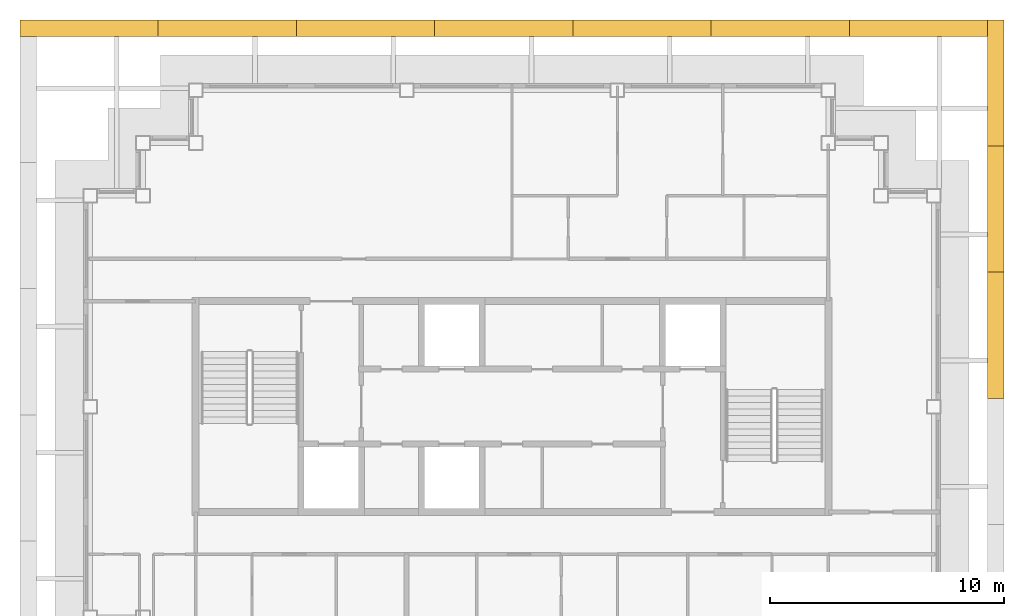
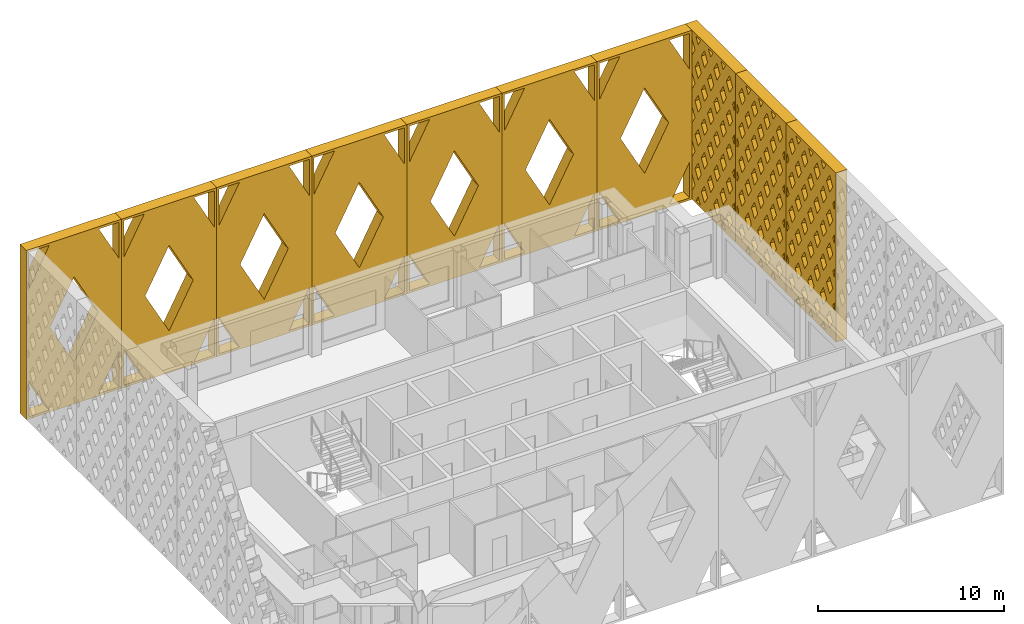
# One storey, part 13 of 13: 10 shading devices.
"""IFC4 building model written with IfcOpenShell, lengths in metres."""

from ifc_helpers import new_model, si_unit, direction, frame, origin, place, context, subcontext, project, spatial, polyline, outline, extrude, material, type_object, element, save


model = new_model("IFC4")

# Units and contexts
model_context = context("Model", 3, precision=1e-05, world=origin(), true_north=direction((0.0, 1.0)))
body_context = subcontext(model_context, "Body", "Model", "MODEL_VIEW")
ifc_project = project(units=[si_unit("LENGTHUNIT", "METRE"), si_unit("AREAUNIT", "SQUARE_METRE"), si_unit("VOLUMEUNIT", "CUBIC_METRE"), si_unit("PLANEANGLEUNIT", "RADIAN"), si_unit("MASSUNIT", "GRAM", prefix="KILO")], contexts=[model_context])

# Site, building, storey
site_placement = place(None, origin())
site = spatial("IfcSite", under=ifc_project, at=site_placement, CompositionType="ELEMENT")
building_placement = place(site_placement, origin())
building = spatial("IfcBuilding", under=site, at=building_placement, Name="Caravel Reach Hotel and Residences", CompositionType="ELEMENT")
storey_placement = place(building_placement, frame((0.0, 0.0, 294.5)))
storey = spatial("IfcBuildingStorey", under=building, at=storey_placement, Name="L75", CompositionType="ELEMENT", Elevation=294.5)

# Shading devices
ifc_material_1 = material(Name="Black powder-coated aluminium", Category="aluminium")
shading_device_type_1 = type_object("IfcShadingDeviceType", Name="Diamond lattice screen panel 5383 x 11100", PredefinedType="USERDEFINED", material=ifc_material_1)
shading_device_1_placement = place(storey_placement, frame((51.800048828125, 27.35009765625, 0.0), z_axis=(1.0, 0.0, 0.0), x_axis=(0.0, 1.0, 0.0)))
element("IfcShadingDevice", 1, at=shading_device_1_placement, inside=storey, type_object=shading_device_type_1, Name="Lattice screen L75-L77 1.4", ObjectType="SCREEN", PredefinedType="USERDEFINED", context=body_context, shape_type="SweptSolid", body=[
    extrude(outline(polyline([(0.0, 0.0), (5.38330078125, 0.0), (5.38330078125, 11.10009765625), (0.0, 11.10009765625), (0.0, 0.0)]), holes=[polyline([(0.338134765625, 2.219970703125), (0.14990234375, 2.530517578125), (0.14990234375, 1.90966796875), (0.338134765625, 2.219970703125)]), polyline([(0.338134765625, 4.43994140625), (0.14990234375, 4.75048828125), (0.14990234375, 4.129638671875), (0.338134765625, 4.43994140625)]), polyline([(0.338134765625, 6.659912109375), (0.14990234375, 6.970458984375), (0.14990234375, 6.349609375), (0.338134765625, 6.659912109375)]), polyline([(0.338134765625, 8.8798828125), (0.14990234375, 9.1904296875), (0.14990234375, 8.569580078125), (0.338134765625, 8.8798828125)]), polyline([(0.6728515625, 1.667724609375), (0.334716796875, 1.110107421875), (0.6728515625, 0.55224609375), (1.010986328125, 1.110107421875), (0.6728515625, 1.667724609375)]), polyline([(0.6728515625, 3.887939453125), (0.334716796875, 3.330078125), (0.6728515625, 2.772216796875), (1.010986328125, 3.330078125), (0.6728515625, 3.887939453125)]), polyline([(0.6728515625, 6.10791015625), (0.334716796875, 5.550048828125), (0.6728515625, 4.9921875), (1.010986328125, 5.550048828125), (0.6728515625, 6.10791015625)]), polyline([(0.6728515625, 8.327880859375), (0.334716796875, 7.77001953125), (0.6728515625, 7.212158203125), (1.010986328125, 7.77001953125), (0.6728515625, 8.327880859375)]), polyline([(0.6728515625, 10.5478515625), (0.334716796875, 9.989990234375), (0.6728515625, 9.43212890625), (1.010986328125, 9.989990234375), (0.6728515625, 10.5478515625)]), polyline([(1.345947265625, 0.557861328125), (1.0986328125, 0.14990234375), (1.593017578125, 0.14990234375), (1.345947265625, 0.557861328125)]), polyline([(1.345947265625, 2.77783203125), (1.007568359375, 2.219970703125), (1.345947265625, 1.662109375), (1.68408203125, 2.219970703125), (1.345947265625, 2.77783203125)]), polyline([(1.345947265625, 4.997802734375), (1.007568359375, 4.43994140625), (1.345947265625, 3.882080078125), (1.68408203125, 4.43994140625), (1.345947265625, 4.997802734375)]), polyline([(1.345947265625, 7.2177734375), (1.007568359375, 6.659912109375), (1.345947265625, 6.10205078125), (1.68408203125, 6.659912109375), (1.345947265625, 7.2177734375)]), polyline([(1.345947265625, 9.437744140625), (1.007568359375, 8.8798828125), (1.345947265625, 8.322265625), (1.68408203125, 8.8798828125), (1.345947265625, 9.437744140625)]), polyline([(1.345947265625, 10.542236328125), (1.593017578125, 10.949951171875), (1.0986328125, 10.949951171875), (1.345947265625, 10.542236328125)]), polyline([(2.018798828125, 1.667724609375), (1.6806640625, 1.110107421875), (2.018798828125, 0.55224609375), (2.35693359375, 1.110107421875), (2.018798828125, 1.667724609375)]), polyline([(2.018798828125, 3.887939453125), (1.6806640625, 3.330078125), (2.018798828125, 2.772216796875), (2.35693359375, 3.330078125), (2.018798828125, 3.887939453125)]), polyline([(2.018798828125, 6.10791015625), (1.6806640625, 5.550048828125), (2.018798828125, 4.9921875), (2.35693359375, 5.550048828125), (2.018798828125, 6.10791015625)]), polyline([(2.018798828125, 8.327880859375), (1.6806640625, 7.77001953125), (2.018798828125, 7.212158203125), (2.35693359375, 7.77001953125), (2.018798828125, 8.327880859375)]), polyline([(2.018798828125, 10.5478515625), (1.6806640625, 9.989990234375), (2.018798828125, 9.43212890625), (2.35693359375, 9.989990234375), (2.018798828125, 10.5478515625)]), polyline([(2.691650390625, 0.557861328125), (2.4443359375, 0.14990234375), (2.93896484375, 0.14990234375), (2.691650390625, 0.557861328125)]), polyline([(2.691650390625, 2.77783203125), (2.353515625, 2.219970703125), (2.691650390625, 1.662109375), (3.02978515625, 2.219970703125), (2.691650390625, 2.77783203125)]), polyline([(2.691650390625, 4.997802734375), (2.353515625, 4.43994140625), (2.691650390625, 3.882080078125), (3.02978515625, 4.43994140625), (2.691650390625, 4.997802734375)]), polyline([(2.691650390625, 7.2177734375), (2.353515625, 6.659912109375), (2.691650390625, 6.10205078125), (3.02978515625, 6.659912109375), (2.691650390625, 7.2177734375)]), polyline([(2.691650390625, 9.437744140625), (2.353515625, 8.8798828125), (2.691650390625, 8.322265625), (3.02978515625, 8.8798828125), (2.691650390625, 9.437744140625)]), polyline([(2.691650390625, 10.542236328125), (2.93896484375, 10.949951171875), (2.4443359375, 10.949951171875), (2.691650390625, 10.542236328125)]), polyline([(3.364501953125, 1.667724609375), (3.0263671875, 1.110107421875), (3.364501953125, 0.55224609375), (3.702880859375, 1.110107421875), (3.364501953125, 1.667724609375)]), polyline([(3.364501953125, 3.887939453125), (3.0263671875, 3.330078125), (3.364501953125, 2.772216796875), (3.702880859375, 3.330078125), (3.364501953125, 3.887939453125)]), polyline([(3.364501953125, 6.10791015625), (3.0263671875, 5.550048828125), (3.364501953125, 4.9921875), (3.702880859375, 5.550048828125), (3.364501953125, 6.10791015625)]), polyline([(3.364501953125, 8.327880859375), (3.0263671875, 7.77001953125), (3.364501953125, 7.212158203125), (3.702880859375, 7.77001953125), (3.364501953125, 8.327880859375)]), polyline([(3.364501953125, 10.5478515625), (3.0263671875, 9.989990234375), (3.364501953125, 9.43212890625), (3.702880859375, 9.989990234375), (3.364501953125, 10.5478515625)]), polyline([(4.03759765625, 0.557861328125), (3.790283203125, 0.14990234375), (4.28466796875, 0.14990234375), (4.03759765625, 0.557861328125)]), polyline([(4.03759765625, 2.77783203125), (3.69921875, 2.219970703125), (4.03759765625, 1.662109375), (4.375732421875, 2.219970703125), (4.03759765625, 2.77783203125)]), polyline([(4.03759765625, 4.997802734375), (3.69921875, 4.43994140625), (4.03759765625, 3.882080078125), (4.375732421875, 4.43994140625), (4.03759765625, 4.997802734375)]), polyline([(4.03759765625, 7.2177734375), (3.69921875, 6.659912109375), (4.03759765625, 6.10205078125), (4.375732421875, 6.659912109375), (4.03759765625, 7.2177734375)]), polyline([(4.03759765625, 9.437744140625), (3.69921875, 8.8798828125), (4.03759765625, 8.322265625), (4.375732421875, 8.8798828125), (4.03759765625, 9.437744140625)]), polyline([(4.03759765625, 10.542236328125), (4.28466796875, 10.949951171875), (3.790283203125, 10.949951171875), (4.03759765625, 10.542236328125)]), polyline([(4.71044921875, 1.667724609375), (4.372314453125, 1.110107421875), (4.71044921875, 0.55224609375), (5.048583984375, 1.110107421875), (4.71044921875, 1.667724609375)]), polyline([(4.71044921875, 3.887939453125), (4.372314453125, 3.330078125), (4.71044921875, 2.772216796875), (5.048583984375, 3.330078125), (4.71044921875, 3.887939453125)]), polyline([(4.71044921875, 6.10791015625), (4.372314453125, 5.550048828125), (4.71044921875, 4.9921875), (5.048583984375, 5.550048828125), (4.71044921875, 6.10791015625)]), polyline([(4.71044921875, 8.327880859375), (4.372314453125, 7.77001953125), (4.71044921875, 7.212158203125), (5.048583984375, 7.77001953125), (4.71044921875, 8.327880859375)]), polyline([(4.71044921875, 10.5478515625), (4.372314453125, 9.989990234375), (4.71044921875, 9.43212890625), (5.048583984375, 9.989990234375), (4.71044921875, 10.5478515625)]), polyline([(5.045166015625, 2.219970703125), (5.2333984375, 1.90966796875), (5.2333984375, 2.530517578125), (5.045166015625, 2.219970703125)]), polyline([(5.045166015625, 4.43994140625), (5.2333984375, 4.129638671875), (5.2333984375, 4.75048828125), (5.045166015625, 4.43994140625)]), polyline([(5.045166015625, 6.659912109375), (5.2333984375, 6.349609375), (5.2333984375, 6.970458984375), (5.045166015625, 6.659912109375)]), polyline([(5.045166015625, 8.8798828125), (5.2333984375, 8.569580078125), (5.2333984375, 9.1904296875), (5.045166015625, 8.8798828125)])]), origin(), (0.0, 0.0, 1.0), 0.699951171875),
])
shading_device_2_placement = place(storey_placement, frame((51.800048828125, 32.7333984375, 0.0), z_axis=(1.0, 0.0, 0.0), x_axis=(0.0, 1.0, 0.0)))
element("IfcShadingDevice", 2, at=shading_device_2_placement, inside=storey, type_object=shading_device_type_1, Name="Lattice screen L75-L77 1.5", ObjectType="SCREEN", PredefinedType="USERDEFINED", context=body_context, shape_type="SweptSolid", body=[
    extrude(outline(polyline([(0.0, 0.0), (5.38330078125, 0.0), (5.38330078125, 11.10009765625), (0.0, 11.10009765625), (0.0, 0.0)]), holes=[polyline([(0.338134765625, 2.219970703125), (0.14990234375, 2.530517578125), (0.14990234375, 1.90966796875), (0.338134765625, 2.219970703125)]), polyline([(0.338134765625, 4.43994140625), (0.14990234375, 4.75048828125), (0.14990234375, 4.129638671875), (0.338134765625, 4.43994140625)]), polyline([(0.338134765625, 6.659912109375), (0.14990234375, 6.970458984375), (0.14990234375, 6.349609375), (0.338134765625, 6.659912109375)]), polyline([(0.338134765625, 8.8798828125), (0.14990234375, 9.1904296875), (0.14990234375, 8.569580078125), (0.338134765625, 8.8798828125)]), polyline([(0.6728515625, 1.667724609375), (0.334716796875, 1.110107421875), (0.6728515625, 0.55224609375), (1.010986328125, 1.110107421875), (0.6728515625, 1.667724609375)]), polyline([(0.6728515625, 3.887939453125), (0.334716796875, 3.330078125), (0.6728515625, 2.772216796875), (1.010986328125, 3.330078125), (0.6728515625, 3.887939453125)]), polyline([(0.6728515625, 6.10791015625), (0.334716796875, 5.550048828125), (0.6728515625, 4.9921875), (1.010986328125, 5.550048828125), (0.6728515625, 6.10791015625)]), polyline([(0.6728515625, 8.327880859375), (0.334716796875, 7.77001953125), (0.6728515625, 7.212158203125), (1.010986328125, 7.77001953125), (0.6728515625, 8.327880859375)]), polyline([(0.6728515625, 10.5478515625), (0.334716796875, 9.989990234375), (0.6728515625, 9.43212890625), (1.010986328125, 9.989990234375), (0.6728515625, 10.5478515625)]), polyline([(1.345947265625, 0.557861328125), (1.0986328125, 0.14990234375), (1.593017578125, 0.14990234375), (1.345947265625, 0.557861328125)]), polyline([(1.345947265625, 2.77783203125), (1.007568359375, 2.219970703125), (1.345947265625, 1.662109375), (1.68408203125, 2.219970703125), (1.345947265625, 2.77783203125)]), polyline([(1.345947265625, 4.997802734375), (1.007568359375, 4.43994140625), (1.345947265625, 3.882080078125), (1.68408203125, 4.43994140625), (1.345947265625, 4.997802734375)]), polyline([(1.345947265625, 7.2177734375), (1.007568359375, 6.659912109375), (1.345947265625, 6.10205078125), (1.68408203125, 6.659912109375), (1.345947265625, 7.2177734375)]), polyline([(1.345947265625, 9.437744140625), (1.007568359375, 8.8798828125), (1.345947265625, 8.322265625), (1.68408203125, 8.8798828125), (1.345947265625, 9.437744140625)]), polyline([(1.345947265625, 10.542236328125), (1.593017578125, 10.949951171875), (1.0986328125, 10.949951171875), (1.345947265625, 10.542236328125)]), polyline([(2.018798828125, 1.667724609375), (1.6806640625, 1.110107421875), (2.018798828125, 0.55224609375), (2.35693359375, 1.110107421875), (2.018798828125, 1.667724609375)]), polyline([(2.018798828125, 3.887939453125), (1.6806640625, 3.330078125), (2.018798828125, 2.772216796875), (2.35693359375, 3.330078125), (2.018798828125, 3.887939453125)]), polyline([(2.018798828125, 6.10791015625), (1.6806640625, 5.550048828125), (2.018798828125, 4.9921875), (2.35693359375, 5.550048828125), (2.018798828125, 6.10791015625)]), polyline([(2.018798828125, 8.327880859375), (1.6806640625, 7.77001953125), (2.018798828125, 7.212158203125), (2.35693359375, 7.77001953125), (2.018798828125, 8.327880859375)]), polyline([(2.018798828125, 10.5478515625), (1.6806640625, 9.989990234375), (2.018798828125, 9.43212890625), (2.35693359375, 9.989990234375), (2.018798828125, 10.5478515625)]), polyline([(2.691650390625, 0.557861328125), (2.4443359375, 0.14990234375), (2.93896484375, 0.14990234375), (2.691650390625, 0.557861328125)]), polyline([(2.691650390625, 2.77783203125), (2.353515625, 2.219970703125), (2.691650390625, 1.662109375), (3.02978515625, 2.219970703125), (2.691650390625, 2.77783203125)]), polyline([(2.691650390625, 4.997802734375), (2.353515625, 4.43994140625), (2.691650390625, 3.882080078125), (3.02978515625, 4.43994140625), (2.691650390625, 4.997802734375)]), polyline([(2.691650390625, 7.2177734375), (2.353515625, 6.659912109375), (2.691650390625, 6.10205078125), (3.02978515625, 6.659912109375), (2.691650390625, 7.2177734375)]), polyline([(2.691650390625, 9.437744140625), (2.353515625, 8.8798828125), (2.691650390625, 8.322265625), (3.02978515625, 8.8798828125), (2.691650390625, 9.437744140625)]), polyline([(2.691650390625, 10.542236328125), (2.93896484375, 10.949951171875), (2.4443359375, 10.949951171875), (2.691650390625, 10.542236328125)]), polyline([(3.364501953125, 1.667724609375), (3.0263671875, 1.110107421875), (3.364501953125, 0.55224609375), (3.702880859375, 1.110107421875), (3.364501953125, 1.667724609375)]), polyline([(3.364501953125, 3.887939453125), (3.0263671875, 3.330078125), (3.364501953125, 2.772216796875), (3.702880859375, 3.330078125), (3.364501953125, 3.887939453125)]), polyline([(3.364501953125, 6.10791015625), (3.0263671875, 5.550048828125), (3.364501953125, 4.9921875), (3.702880859375, 5.550048828125), (3.364501953125, 6.10791015625)]), polyline([(3.364501953125, 8.327880859375), (3.0263671875, 7.77001953125), (3.364501953125, 7.212158203125), (3.702880859375, 7.77001953125), (3.364501953125, 8.327880859375)]), polyline([(3.364501953125, 10.5478515625), (3.0263671875, 9.989990234375), (3.364501953125, 9.43212890625), (3.702880859375, 9.989990234375), (3.364501953125, 10.5478515625)]), polyline([(4.03759765625, 0.557861328125), (3.790283203125, 0.14990234375), (4.28466796875, 0.14990234375), (4.03759765625, 0.557861328125)]), polyline([(4.03759765625, 2.77783203125), (3.69921875, 2.219970703125), (4.03759765625, 1.662109375), (4.375732421875, 2.219970703125), (4.03759765625, 2.77783203125)]), polyline([(4.03759765625, 4.997802734375), (3.69921875, 4.43994140625), (4.03759765625, 3.882080078125), (4.375732421875, 4.43994140625), (4.03759765625, 4.997802734375)]), polyline([(4.03759765625, 7.2177734375), (3.69921875, 6.659912109375), (4.03759765625, 6.10205078125), (4.375732421875, 6.659912109375), (4.03759765625, 7.2177734375)]), polyline([(4.03759765625, 9.437744140625), (3.69921875, 8.8798828125), (4.03759765625, 8.322265625), (4.375732421875, 8.8798828125), (4.03759765625, 9.437744140625)]), polyline([(4.03759765625, 10.542236328125), (4.28466796875, 10.949951171875), (3.790283203125, 10.949951171875), (4.03759765625, 10.542236328125)]), polyline([(4.71044921875, 1.667724609375), (4.372314453125, 1.110107421875), (4.71044921875, 0.55224609375), (5.048583984375, 1.110107421875), (4.71044921875, 1.667724609375)]), polyline([(4.71044921875, 3.887939453125), (4.372314453125, 3.330078125), (4.71044921875, 2.772216796875), (5.048583984375, 3.330078125), (4.71044921875, 3.887939453125)]), polyline([(4.71044921875, 6.10791015625), (4.372314453125, 5.550048828125), (4.71044921875, 4.9921875), (5.048583984375, 5.550048828125), (4.71044921875, 6.10791015625)]), polyline([(4.71044921875, 8.327880859375), (4.372314453125, 7.77001953125), (4.71044921875, 7.212158203125), (5.048583984375, 7.77001953125), (4.71044921875, 8.327880859375)]), polyline([(4.71044921875, 10.5478515625), (4.372314453125, 9.989990234375), (4.71044921875, 9.43212890625), (5.048583984375, 9.989990234375), (4.71044921875, 10.5478515625)]), polyline([(5.045166015625, 2.219970703125), (5.2333984375, 1.90966796875), (5.2333984375, 2.530517578125), (5.045166015625, 2.219970703125)]), polyline([(5.045166015625, 4.43994140625), (5.2333984375, 4.129638671875), (5.2333984375, 4.75048828125), (5.045166015625, 4.43994140625)]), polyline([(5.045166015625, 6.659912109375), (5.2333984375, 6.349609375), (5.2333984375, 6.970458984375), (5.045166015625, 6.659912109375)]), polyline([(5.045166015625, 8.8798828125), (5.2333984375, 8.569580078125), (5.2333984375, 9.1904296875), (5.045166015625, 8.8798828125)])]), origin(), (0.0, 0.0, 1.0), 0.699951171875),
])
shading_device_3_placement = place(storey_placement, frame((51.800048828125, 38.11669921875, 0.0), z_axis=(1.0, 0.0, 0.0), x_axis=(0.0, 1.0, 0.0)))
element("IfcShadingDevice", 3, at=shading_device_3_placement, inside=storey, type_object=shading_device_type_1, Name="Lattice screen L75-L77 1.6", ObjectType="SCREEN", PredefinedType="USERDEFINED", context=body_context, shape_type="SweptSolid", body=[
    extrude(outline(polyline([(0.0, 0.0), (5.38330078125, 0.0), (5.38330078125, 11.10009765625), (0.0, 11.10009765625), (0.0, 0.0)]), holes=[polyline([(0.338134765625, 2.219970703125), (0.14990234375, 2.530517578125), (0.14990234375, 1.90966796875), (0.338134765625, 2.219970703125)]), polyline([(0.338134765625, 4.43994140625), (0.14990234375, 4.75048828125), (0.14990234375, 4.129638671875), (0.338134765625, 4.43994140625)]), polyline([(0.338134765625, 6.659912109375), (0.14990234375, 6.970458984375), (0.14990234375, 6.349609375), (0.338134765625, 6.659912109375)]), polyline([(0.338134765625, 8.8798828125), (0.14990234375, 9.1904296875), (0.14990234375, 8.569580078125), (0.338134765625, 8.8798828125)]), polyline([(0.6728515625, 1.667724609375), (0.334716796875, 1.110107421875), (0.6728515625, 0.55224609375), (1.010986328125, 1.110107421875), (0.6728515625, 1.667724609375)]), polyline([(0.6728515625, 3.887939453125), (0.334716796875, 3.330078125), (0.6728515625, 2.772216796875), (1.010986328125, 3.330078125), (0.6728515625, 3.887939453125)]), polyline([(0.6728515625, 6.10791015625), (0.334716796875, 5.550048828125), (0.6728515625, 4.9921875), (1.010986328125, 5.550048828125), (0.6728515625, 6.10791015625)]), polyline([(0.6728515625, 8.327880859375), (0.334716796875, 7.77001953125), (0.6728515625, 7.212158203125), (1.010986328125, 7.77001953125), (0.6728515625, 8.327880859375)]), polyline([(0.6728515625, 10.5478515625), (0.334716796875, 9.989990234375), (0.6728515625, 9.43212890625), (1.010986328125, 9.989990234375), (0.6728515625, 10.5478515625)]), polyline([(1.345947265625, 0.557861328125), (1.0986328125, 0.14990234375), (1.593017578125, 0.14990234375), (1.345947265625, 0.557861328125)]), polyline([(1.345947265625, 2.77783203125), (1.007568359375, 2.219970703125), (1.345947265625, 1.662109375), (1.68408203125, 2.219970703125), (1.345947265625, 2.77783203125)]), polyline([(1.345947265625, 4.997802734375), (1.007568359375, 4.43994140625), (1.345947265625, 3.882080078125), (1.68408203125, 4.43994140625), (1.345947265625, 4.997802734375)]), polyline([(1.345947265625, 7.2177734375), (1.007568359375, 6.659912109375), (1.345947265625, 6.10205078125), (1.68408203125, 6.659912109375), (1.345947265625, 7.2177734375)]), polyline([(1.345947265625, 9.437744140625), (1.007568359375, 8.8798828125), (1.345947265625, 8.322265625), (1.68408203125, 8.8798828125), (1.345947265625, 9.437744140625)]), polyline([(1.345947265625, 10.542236328125), (1.593017578125, 10.949951171875), (1.0986328125, 10.949951171875), (1.345947265625, 10.542236328125)]), polyline([(2.018798828125, 1.667724609375), (1.6806640625, 1.110107421875), (2.018798828125, 0.55224609375), (2.35693359375, 1.110107421875), (2.018798828125, 1.667724609375)]), polyline([(2.018798828125, 3.887939453125), (1.6806640625, 3.330078125), (2.018798828125, 2.772216796875), (2.35693359375, 3.330078125), (2.018798828125, 3.887939453125)]), polyline([(2.018798828125, 6.10791015625), (1.6806640625, 5.550048828125), (2.018798828125, 4.9921875), (2.35693359375, 5.550048828125), (2.018798828125, 6.10791015625)]), polyline([(2.018798828125, 8.327880859375), (1.6806640625, 7.77001953125), (2.018798828125, 7.212158203125), (2.35693359375, 7.77001953125), (2.018798828125, 8.327880859375)]), polyline([(2.018798828125, 10.5478515625), (1.6806640625, 9.989990234375), (2.018798828125, 9.43212890625), (2.35693359375, 9.989990234375), (2.018798828125, 10.5478515625)]), polyline([(2.691650390625, 0.557861328125), (2.4443359375, 0.14990234375), (2.93896484375, 0.14990234375), (2.691650390625, 0.557861328125)]), polyline([(2.691650390625, 2.77783203125), (2.353515625, 2.219970703125), (2.691650390625, 1.662109375), (3.02978515625, 2.219970703125), (2.691650390625, 2.77783203125)]), polyline([(2.691650390625, 4.997802734375), (2.353515625, 4.43994140625), (2.691650390625, 3.882080078125), (3.02978515625, 4.43994140625), (2.691650390625, 4.997802734375)]), polyline([(2.691650390625, 7.2177734375), (2.353515625, 6.659912109375), (2.691650390625, 6.10205078125), (3.02978515625, 6.659912109375), (2.691650390625, 7.2177734375)]), polyline([(2.691650390625, 9.437744140625), (2.353515625, 8.8798828125), (2.691650390625, 8.322265625), (3.02978515625, 8.8798828125), (2.691650390625, 9.437744140625)]), polyline([(2.691650390625, 10.542236328125), (2.93896484375, 10.949951171875), (2.4443359375, 10.949951171875), (2.691650390625, 10.542236328125)]), polyline([(3.364501953125, 1.667724609375), (3.0263671875, 1.110107421875), (3.364501953125, 0.55224609375), (3.702880859375, 1.110107421875), (3.364501953125, 1.667724609375)]), polyline([(3.364501953125, 3.887939453125), (3.0263671875, 3.330078125), (3.364501953125, 2.772216796875), (3.702880859375, 3.330078125), (3.364501953125, 3.887939453125)]), polyline([(3.364501953125, 6.10791015625), (3.0263671875, 5.550048828125), (3.364501953125, 4.9921875), (3.702880859375, 5.550048828125), (3.364501953125, 6.10791015625)]), polyline([(3.364501953125, 8.327880859375), (3.0263671875, 7.77001953125), (3.364501953125, 7.212158203125), (3.702880859375, 7.77001953125), (3.364501953125, 8.327880859375)]), polyline([(3.364501953125, 10.5478515625), (3.0263671875, 9.989990234375), (3.364501953125, 9.43212890625), (3.702880859375, 9.989990234375), (3.364501953125, 10.5478515625)]), polyline([(4.03759765625, 0.557861328125), (3.790283203125, 0.14990234375), (4.28466796875, 0.14990234375), (4.03759765625, 0.557861328125)]), polyline([(4.03759765625, 2.77783203125), (3.69921875, 2.219970703125), (4.03759765625, 1.662109375), (4.375732421875, 2.219970703125), (4.03759765625, 2.77783203125)]), polyline([(4.03759765625, 4.997802734375), (3.69921875, 4.43994140625), (4.03759765625, 3.882080078125), (4.375732421875, 4.43994140625), (4.03759765625, 4.997802734375)]), polyline([(4.03759765625, 7.2177734375), (3.69921875, 6.659912109375), (4.03759765625, 6.10205078125), (4.375732421875, 6.659912109375), (4.03759765625, 7.2177734375)]), polyline([(4.03759765625, 9.437744140625), (3.69921875, 8.8798828125), (4.03759765625, 8.322265625), (4.375732421875, 8.8798828125), (4.03759765625, 9.437744140625)]), polyline([(4.03759765625, 10.542236328125), (4.28466796875, 10.949951171875), (3.790283203125, 10.949951171875), (4.03759765625, 10.542236328125)]), polyline([(4.71044921875, 1.667724609375), (4.372314453125, 1.110107421875), (4.71044921875, 0.55224609375), (5.048583984375, 1.110107421875), (4.71044921875, 1.667724609375)]), polyline([(4.71044921875, 3.887939453125), (4.372314453125, 3.330078125), (4.71044921875, 2.772216796875), (5.048583984375, 3.330078125), (4.71044921875, 3.887939453125)]), polyline([(4.71044921875, 6.10791015625), (4.372314453125, 5.550048828125), (4.71044921875, 4.9921875), (5.048583984375, 5.550048828125), (4.71044921875, 6.10791015625)]), polyline([(4.71044921875, 8.327880859375), (4.372314453125, 7.77001953125), (4.71044921875, 7.212158203125), (5.048583984375, 7.77001953125), (4.71044921875, 8.327880859375)]), polyline([(4.71044921875, 10.5478515625), (4.372314453125, 9.989990234375), (4.71044921875, 9.43212890625), (5.048583984375, 9.989990234375), (4.71044921875, 10.5478515625)]), polyline([(5.045166015625, 2.219970703125), (5.2333984375, 1.90966796875), (5.2333984375, 2.530517578125), (5.045166015625, 2.219970703125)]), polyline([(5.045166015625, 4.43994140625), (5.2333984375, 4.129638671875), (5.2333984375, 4.75048828125), (5.045166015625, 4.43994140625)]), polyline([(5.045166015625, 6.659912109375), (5.2333984375, 6.349609375), (5.2333984375, 6.970458984375), (5.045166015625, 6.659912109375)]), polyline([(5.045166015625, 8.8798828125), (5.2333984375, 8.569580078125), (5.2333984375, 9.1904296875), (5.045166015625, 8.8798828125)])]), origin(), (0.0, 0.0, 1.0), 0.699951171875),
])
ifc_material_2 = material(Name="Black powder-coated aluminium", Category="aluminium")
shading_device_type_2 = type_object("IfcShadingDeviceType", Name="Diamond lattice screen panel 5900 x 11100", PredefinedType="USERDEFINED", material=ifc_material_2)
for number, where, z_axis, x_axis, name in (
    (4, (51.800048828125, 42.800048828125, 0.0), (0.0, 1.0, 0.0), (-1.0, 0.0, 0.0), "Lattice screen L75-L77 2.1"),
    (5, (45.89990234375, 42.800048828125, 0.0), (0.0, 1.0, 0.0), (-1.0, 0.0, 0.0), "Lattice screen L75-L77 2.2"),
    (6, (40.0, 42.800048828125, 0.0), (0.0, 1.0, 0.0), (-1.0, 0.0, 0.0), "Lattice screen L75-L77 2.3"),
    (7, (34.10009765625, 42.800048828125, 0.0), (0.0, 1.0, 0.0), (-1.0, 0.0, 0.0), "Lattice screen L75-L77 2.4"),
    (8, (28.199951171875, 42.800048828125, 0.0), (0.0, 1.0, 0.0), (-1.0, 0.0, 0.0), "Lattice screen L75-L77 2.5"),
    (9, (22.300048828125, 42.800048828125, 0.0), (0.0, 1.0, 0.0), (-1.0, 0.0, 0.0), "Lattice screen L75-L77 2.6"),
    (10, (16.39990234375, 42.800048828125, 0.0), (0.0, 1.0, 0.0), (-1.0, 0.0, 0.0), "Lattice screen L75-L77 2.7"),
):
    element("IfcShadingDevice", number, at=place(storey_placement, frame(where, z_axis=z_axis, x_axis=x_axis)), inside=storey, type_object=shading_device_type_2, Name=name, ObjectType="SCREEN", PredefinedType="USERDEFINED", context=body_context, shape_type="SweptSolid", body=[
        extrude(outline(polyline([(0.0, 0.0), (5.89990234375, 0.0), (5.89990234375, 11.10009765625), (0.0, 11.10009765625), (0.0, 0.0)]), holes=[polyline([(1.4140625, 0.14990234375), (0.14990234375, 2.528076171875), (0.14990234375, 0.14990234375), (1.4140625, 0.14990234375)]), polyline([(0.14990234375, 8.572021484375), (1.4140625, 10.949951171875), (0.14990234375, 10.949951171875), (0.14990234375, 8.572021484375)]), polyline([(2.949951171875, 8.3603515625), (1.456298828125, 5.550048828125), (2.949951171875, 2.73974609375), (4.44384765625, 5.550048828125), (2.949951171875, 8.3603515625)]), polyline([(5.75, 2.528076171875), (4.486083984375, 0.14990234375), (5.75, 0.14990234375), (5.75, 2.528076171875)]), polyline([(4.486083984375, 10.949951171875), (5.75, 8.572021484375), (5.75, 10.949951171875), (4.486083984375, 10.949951171875)])]), origin(), (0.0, 0.0, 1.0), 0.699951171875),
    ])

save(model, "model.ifc")
